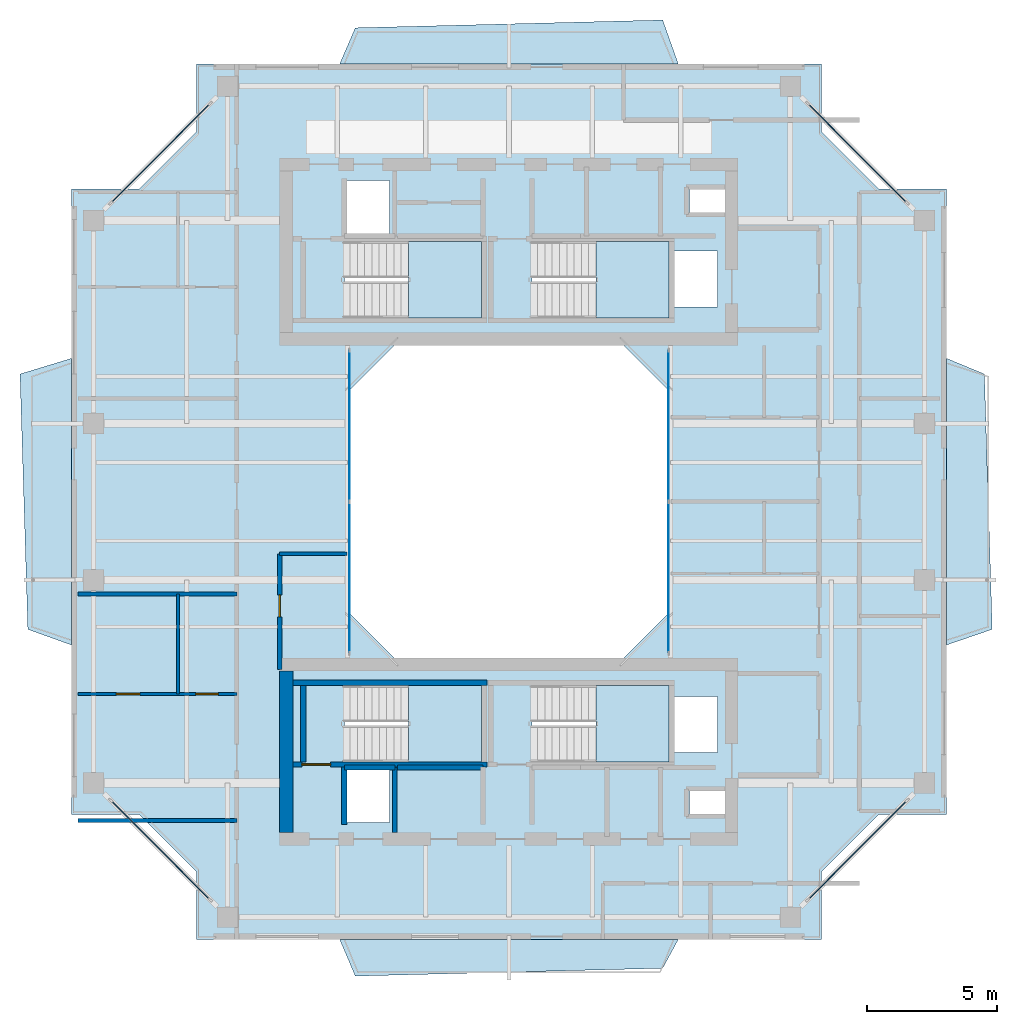
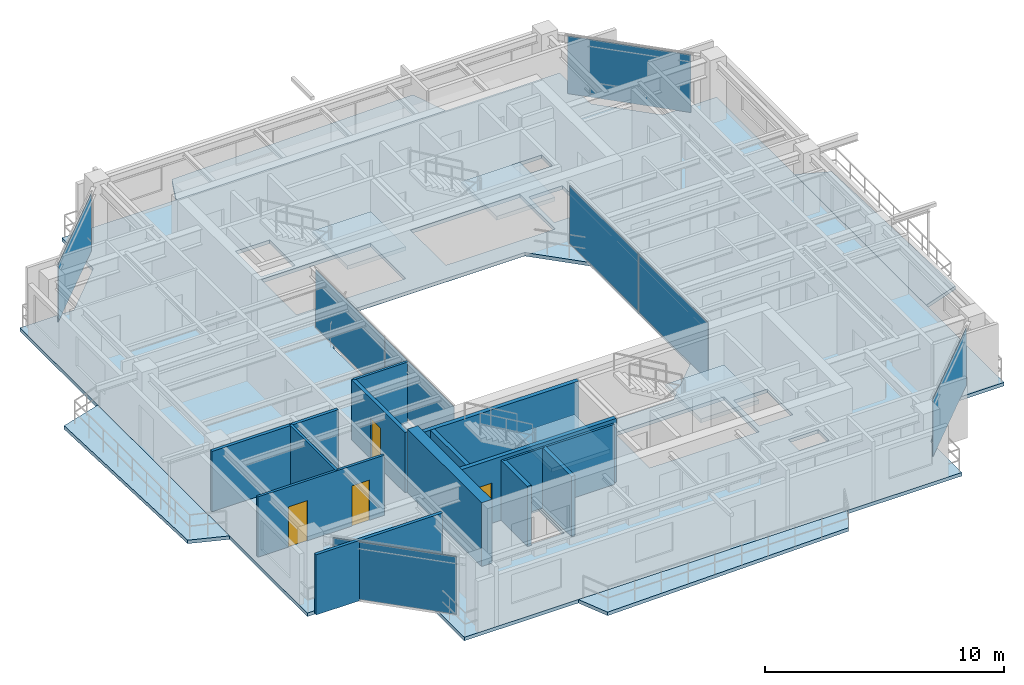
# One storey, part 9 of 15: 14 walls, 9 slabs, 8 plates, 4 doors, 4 openings, 10 elements without a shape of their own.
"""IFC4 building model written with IfcOpenShell, lengths in metres."""

from ifc_helpers import new_model, si_unit, direction, frame, frame_2d, origin, origin_2d, place, context, subcontext, project, spatial, polyline, rectangle, outline, extrude, source, transform, mapped, material, layer, layer_set, type_object, element, fill, aggregate, save


model = new_model("IFC4")

# Units and contexts
model_context = context("Model", 3, precision=1e-05, world=origin(), true_north=direction((0.0, 1.0)))
body_context = subcontext(model_context, "Body", "Model", "MODEL_VIEW")
ifc_project = project(units=[si_unit("LENGTHUNIT", "METRE"), si_unit("AREAUNIT", "SQUARE_METRE"), si_unit("VOLUMEUNIT", "CUBIC_METRE"), si_unit("PLANEANGLEUNIT", "RADIAN"), si_unit("MASSUNIT", "GRAM", prefix="KILO"), si_unit("THERMODYNAMICTEMPERATUREUNIT", "KELVIN"), si_unit("POWERUNIT", "WATT")], contexts=[model_context])

# Site, building, storey
site_placement = place(None, origin())
site = spatial("IfcSite", under=ifc_project, at=site_placement, CompositionType="ELEMENT")
building_placement = place(site_placement, origin())
building = spatial("IfcBuilding", under=site, at=building_placement, Name="Qiaomeng Ring Towers", CompositionType="ELEMENT")
storey_placement = place(building_placement, frame((0.0, 0.0, 200.25)))
storey = spatial("IfcBuildingStorey", under=building, at=storey_placement, Name="L58", CompositionType="ELEMENT", Elevation=200.25)

# Slabs
ifc_material_1 = material(Name="Concrete C40", Category="concrete")
ifc_layer_1 = layer(ifc_material_1, 0.179931640625, Name="Concrete C40")
ifc_layer_set_1 = layer_set([ifc_layer_1], Name="Concrete C40")
slab_type_1 = type_object("IfcSlabType", Name="STR-SL-180", PredefinedType="FLOOR", material=ifc_layer_set_1)
slab_1_placement = place(storey_placement, frame((0.0, 0.0, -0.179931640625)))
element("IfcSlab", 1, at=slab_1_placement, inside=storey, type_object=slab_type_1, Name="L58 Tower 1 Annular Floor Slab", PredefinedType="FLOOR", context=body_context, shape_type="SweptSolid", body=[
    extrude(outline(polyline([(7.0, 6.199951171875), (31.0, 6.199951171875), (31.0, 8.800048828125), (33.199951171875, 11.0), (35.800048828125, 11.0), (35.800048828125, 35.0), (33.199951171875, 35.0), (31.0, 37.199951171875), (31.0, 39.800048828125), (7.0, 39.800048828125), (7.0, 37.199951171875), (4.800048828125, 35.0), (2.199951171875, 35.0), (2.199951171875, 11.0), (4.800048828125, 11.0), (7.0, 8.800048828125), (7.0, 6.199951171875)]), holes=[polyline([(12.780029296875, 10.679931640625), (12.780029296875, 12.820068359375), (14.419921875, 12.820068359375), (14.419921875, 10.679931640625), (12.780029296875, 10.679931640625)]), polyline([(12.679931640625, 13.010009765625), (12.679931640625, 15.949951171875), (17.949951171875, 15.949951171875), (17.949951171875, 13.010009765625), (12.679931640625, 13.010009765625)]), polyline([(23.199951171875, 29.199951171875), (25.199951171875, 27.199951171875), (25.199951171875, 18.800048828125), (23.199951171875, 16.800048828125), (14.800048828125, 16.800048828125), (12.800048828125, 18.800048828125), (12.800048828125, 27.199951171875), (14.800048828125, 29.199951171875), (23.199951171875, 29.199951171875)]), polyline([(12.679931640625, 32.989990234375), (17.949951171875, 32.989990234375), (17.949951171875, 30.050048828125), (12.679931640625, 30.050048828125), (12.679931640625, 32.989990234375)]), polyline([(19.8798828125, 32.989990234375), (25.14990234375, 32.989990234375), (25.14990234375, 30.050048828125), (19.8798828125, 30.050048828125), (19.8798828125, 32.989990234375)]), polyline([(12.780029296875, 33.179931640625), (12.780029296875, 35.320068359375), (14.419921875, 35.320068359375), (14.419921875, 33.179931640625), (12.780029296875, 33.179931640625)]), polyline([(25.919921875, 11.89990234375), (27.360107421875, 11.89990234375), (27.360107421875, 11.0), (25.919921875, 11.0), (25.919921875, 11.89990234375)]), polyline([(25.360107421875, 15.52001953125), (27.0, 15.52001953125), (27.0, 13.3798828125), (25.360107421875, 13.3798828125), (25.360107421875, 15.52001953125)]), polyline([(19.8798828125, 13.010009765625), (19.8798828125, 15.949951171875), (25.14990234375, 15.949951171875), (25.14990234375, 13.010009765625), (19.8798828125, 13.010009765625)]), polyline([(25.360107421875, 32.6201171875), (27.0, 32.6201171875), (27.0, 30.47998046875), (25.360107421875, 30.47998046875), (25.360107421875, 32.6201171875)]), polyline([(25.919921875, 35.0), (27.360107421875, 35.0), (27.360107421875, 34.10009765625), (25.919921875, 34.10009765625), (25.919921875, 35.0)])]), origin(), (0.0, 0.0, 1.0), 0.179931640625),
])
ifc_layer_2 = layer(ifc_material_1, 0.179931640625, Name="Concrete C40")
ifc_layer_set_2 = layer_set([ifc_layer_2], Name="Concrete C40")
slab_type_2 = type_object("IfcSlabType", Name="STR-SL-BAL", PredefinedType="FLOOR", material=ifc_layer_set_2)
slab_2_placement = place(storey_placement, frame((0.0, 0.0, -0.179931640625)))
element("IfcSlab", 2, at=slab_2_placement, inside=storey, type_object=slab_type_2, Name="L58 Tower 1 S Faceted Balcony Slab", PredefinedType="FLOOR", context=body_context, shape_type="SweptSolid", body=[
    extrude(outline(polyline([(25.5, 6.199951171875), (24.89990234375, 5.090087890625), (13.10009765625, 4.7900390625), (12.5, 6.199951171875), (25.5, 6.199951171875)])), origin(), (0.0, 0.0, 1.0), 0.179931640625),
])
slab_3_placement = place(storey_placement, frame((0.0, 0.0, -0.179931640625)))
element("IfcSlab", 3, at=slab_3_placement, inside=storey, type_object=slab_type_2, Name="L58 Tower 1 E Faceted Balcony Slab", PredefinedType="FLOOR", context=body_context, shape_type="SweptSolid", body=[
    extrude(outline(polyline([(37.25, 27.89990234375), (37.550048828125, 18.10009765625), (35.800048828125, 17.5), (35.800048828125, 28.5), (37.25, 27.89990234375)])), origin(), (0.0, 0.0, 1.0), 0.179931640625),
])
slab_4_placement = place(storey_placement, frame((0.0, 0.0, -0.179931640625)))
element("IfcSlab", 4, at=slab_4_placement, inside=storey, type_object=slab_type_2, Name="L58 Tower 1 N Faceted Balcony Slab", PredefinedType="FLOOR", context=body_context, shape_type="SweptSolid", body=[
    extrude(outline(polyline([(12.5, 39.800048828125), (13.10009765625, 41.18994140625), (24.89990234375, 41.489990234375), (25.5, 39.800048828125), (12.5, 39.800048828125)])), origin(), (0.0, 0.0, 1.0), 0.179931640625),
])
slab_5_placement = place(storey_placement, frame((0.0, 0.0, -0.179931640625)))
element("IfcSlab", 5, at=slab_5_placement, inside=storey, type_object=slab_type_2, Name="L58 Tower 1 W Faceted Balcony Slab", PredefinedType="FLOOR", context=body_context, shape_type="SweptSolid", body=[
    extrude(outline(polyline([(0.530029296875, 18.10009765625), (0.22998046875, 27.89990234375), (2.199951171875, 28.5), (2.199951171875, 17.5), (0.530029296875, 18.10009765625)])), origin(), (0.0, 0.0, 1.0), 0.179931640625),
])

# Stair, slab
ifc_material_2 = material(Name="Precast concrete C40", Category="concrete")
stair_type = type_object("IfcStairType", Name="ARC-ST-325", PredefinedType="HALF_TURN_STAIR", material=ifc_material_2)
stair_1_placement = place(storey_placement, origin())
stair_1 = element("IfcStair", 6, at=stair_1_placement, inside=storey, type_object=stair_type, Name="L58 Tower 1 North Stair 1", PredefinedType="HALF_TURN_STAIR")
ifc_layer_3 = layer(ifc_material_1, 0.199951171875, Name="Concrete C40")
ifc_layer_set_3 = layer_set([ifc_layer_3], Name="Concrete C40")
slab_type_3 = type_object("IfcSlabType", Name="STR-SL-LANDING", PredefinedType="LANDING", material=ifc_layer_set_3)
slab_6_placement = place(storey_placement, frame((0.0, 0.0, 1.425048828125)))
slab_6 = element("IfcSlab", 7, at=slab_6_placement, type_object=slab_type_3, Name="ST1 landing 1", PredefinedType="LANDING", context=body_context, shape_type="SweptSolid", body=[
    extrude(outline(polyline([(15.139892578125, 30.050048828125), (17.949951171875, 30.050048828125), (17.949951171875, 32.989990234375), (15.139892578125, 32.989990234375), (15.139892578125, 30.050048828125)])), origin(), (0.0, 0.0, 1.0), 0.199951171875),
])
aggregate(stair_1, [slab_6])

stair_2_placement = place(storey_placement, origin())
stair_2 = element("IfcStair", 8, at=stair_2_placement, inside=storey, type_object=stair_type, Name="L58 Tower 1 North Stair 2", PredefinedType="HALF_TURN_STAIR")
slab_7_placement = place(storey_placement, frame((0.0, 0.0, 1.425048828125)))
slab_7 = element("IfcSlab", 9, at=slab_7_placement, type_object=slab_type_3, Name="ST2 landing 1", PredefinedType="LANDING", context=body_context, shape_type="SweptSolid", body=[
    extrude(outline(polyline([(22.340087890625, 30.050048828125), (25.14990234375, 30.050048828125), (25.14990234375, 32.989990234375), (22.340087890625, 32.989990234375), (22.340087890625, 30.050048828125)])), origin(), (0.0, 0.0, 1.0), 0.199951171875),
])
aggregate(stair_2, [slab_7])

stair_3_placement = place(storey_placement, origin())
stair_3 = element("IfcStair", 10, at=stair_3_placement, inside=storey, type_object=stair_type, Name="L58 Tower 1 South Stair 3", PredefinedType="HALF_TURN_STAIR")
slab_8_placement = place(storey_placement, frame((0.0, 0.0, 1.425048828125)))
slab_8 = element("IfcSlab", 11, at=slab_8_placement, type_object=slab_type_3, Name="ST3 landing 1", PredefinedType="LANDING", context=body_context, shape_type="SweptSolid", body=[
    extrude(outline(polyline([(15.139892578125, 13.010009765625), (17.949951171875, 13.010009765625), (17.949951171875, 15.949951171875), (15.139892578125, 15.949951171875), (15.139892578125, 13.010009765625)])), origin(), (0.0, 0.0, 1.0), 0.199951171875),
])
aggregate(stair_3, [slab_8])

stair_4_placement = place(storey_placement, origin())
stair_4 = element("IfcStair", 12, at=stair_4_placement, inside=storey, type_object=stair_type, Name="L58 Tower 1 South Stair 4", PredefinedType="HALF_TURN_STAIR")
slab_9_placement = place(storey_placement, frame((0.0, 0.0, 1.425048828125)))
slab_9 = element("IfcSlab", 13, at=slab_9_placement, type_object=slab_type_3, Name="ST4 landing 1", PredefinedType="LANDING", context=body_context, shape_type="SweptSolid", body=[
    extrude(outline(polyline([(22.340087890625, 13.010009765625), (25.14990234375, 13.010009765625), (25.14990234375, 15.949951171875), (22.340087890625, 15.949951171875), (22.340087890625, 13.010009765625)])), origin(), (0.0, 0.0, 1.0), 0.199951171875),
])
aggregate(stair_4, [slab_9])

# Curtain wall, plates
ifc_material_3 = material(Name="Fluorocarbon dark-grey aluminium", Category="aluminium")
ifc_layer_4 = layer(ifc_material_3, 0.139892578125, Name="Fluorocarbon dark-grey aluminium")
ifc_layer_set_4 = layer_set([ifc_layer_4], Name="Fluorocarbon dark-grey aluminium")
curtain_wall_type_1 = type_object("IfcCurtainWallType", Name="ARC-CW-4", PredefinedType="NOTDEFINED", material=ifc_layer_set_4)
curtain_wall_1_placement = place(storey_placement, origin())
curtain_wall_1 = element("IfcCurtainWall", 14, at=curtain_wall_1_placement, inside=storey, type_object=curtain_wall_type_1, Name="L58 Curtain Wall CW4", PredefinedType="NOTDEFINED")
ifc_material_4 = material(Name="Low-E dark-grey laminated double glazing", Category="glass")
ifc_layer_5 = layer(ifc_material_4, 0.028076171875, Name="Low-E dark-grey laminated double glazing")
ifc_layer_set_5 = layer_set([ifc_layer_5], Name="Low-E dark-grey laminated double glazing")
plate_type = type_object("IfcPlateType", Name="ARC-CWP-DARK", PredefinedType="CURTAIN_PANEL", material=ifc_layer_set_5)
shared_shape_1 = source(origin(), body_context, "Body", "SweptSolid", [
    extrude(rectangle(XDim=5.75244140625, YDim=0.028076171875, at=origin_2d()), origin(), (0.0, 0.0, 1.0), 2.93994140625),
])
plate_1_placement = place(storey_placement, frame((12.8798828125, 20.09130859375, 0.06494140625), z_axis=(0.0, 0.0, 1.0), x_axis=(0.0, 1.0, 0.0)))
plate_1 = element("IfcPlate", 15, at=plate_1_placement, type_object=plate_type, Name="CW4 panel 1.1", PredefinedType="CURTAIN_PANEL", context=body_context, shape_type="MappedRepresentation", body=[
    mapped(shared_shape_1, transform((0.0, 0.0, 0.0), x_axis=(1.0, 0.0, 0.0), y_axis=(0.0, 1.0, 0.0), z_axis=(0.0, 0.0, 1.0), scale=1.0)),
])
plate_2_placement = place(storey_placement, frame((12.8798828125, 25.90869140625, 0.06494140625), z_axis=(0.0, 0.0, 1.0), x_axis=(0.0, 1.0, 0.0)))
plate_2 = element("IfcPlate", 16, at=plate_2_placement, type_object=plate_type, Name="CW4 panel 2.1", PredefinedType="CURTAIN_PANEL", context=body_context, shape_type="MappedRepresentation", body=[
    mapped(shared_shape_1, transform((0.0, 0.0, 0.0), x_axis=(1.0, 0.0, 0.0), y_axis=(0.0, 1.0, 0.0), z_axis=(0.0, 0.0, 1.0), scale=1.0)),
])
aggregate(curtain_wall_1, [plate_1, plate_2])

curtain_wall_2_placement = place(storey_placement, origin())
curtain_wall_2 = element("IfcCurtainWall", 17, at=curtain_wall_2_placement, inside=storey, type_object=curtain_wall_type_1, Name="L58 Curtain Wall CW4", PredefinedType="NOTDEFINED")
plate_3_placement = place(storey_placement, frame((25.1201171875, 20.09130859375, 0.06494140625), z_axis=(0.0, 0.0, 1.0), x_axis=(0.0, 1.0, 0.0)))
plate_3 = element("IfcPlate", 18, at=plate_3_placement, type_object=plate_type, Name="CW4 panel 1.1", PredefinedType="CURTAIN_PANEL", context=body_context, shape_type="MappedRepresentation", body=[
    mapped(shared_shape_1, transform((0.0, 0.0, 0.0), x_axis=(1.0, 0.0, 0.0), y_axis=(0.0, 1.0, 0.0), z_axis=(0.0, 0.0, 1.0), scale=1.0)),
])
plate_4_placement = place(storey_placement, frame((25.1201171875, 25.90869140625, 0.06494140625), z_axis=(0.0, 0.0, 1.0), x_axis=(0.0, 1.0, 0.0)))
plate_4 = element("IfcPlate", 19, at=plate_4_placement, type_object=plate_type, Name="CW4 panel 2.1", PredefinedType="CURTAIN_PANEL", context=body_context, shape_type="MappedRepresentation", body=[
    mapped(shared_shape_1, transform((0.0, 0.0, 0.0), x_axis=(1.0, 0.0, 0.0), y_axis=(0.0, 1.0, 0.0), z_axis=(0.0, 0.0, 1.0), scale=1.0)),
])
aggregate(curtain_wall_2, [plate_3, plate_4])

# Curtain wall, plate
ifc_layer_6 = layer(ifc_material_3, 0.14990234375, Name="Fluorocarbon dark-grey aluminium")
ifc_layer_set_6 = layer_set([ifc_layer_6], Name="Fluorocarbon dark-grey aluminium")
curtain_wall_type_2 = type_object("IfcCurtainWallType", Name="ARC-CW-3", PredefinedType="NOTDEFINED", material=ifc_layer_set_6)
curtain_wall_3_placement = place(storey_placement, origin())
curtain_wall_3 = element("IfcCurtainWall", 20, at=curtain_wall_3_placement, inside=storey, type_object=curtain_wall_type_2, Name="L58 Curtain Wall CW3", PredefinedType="NOTDEFINED")
shared_shape_2 = source(origin(), body_context, "Body", "SweptSolid", [
    extrude(rectangle(XDim=5.3330078125, YDim=0.028076171875, at=origin_2d()), origin(), (0.0, 0.0, 1.0), 2.93994140625),
])
plate_5_placement = place(storey_placement, frame((32.375, 9.625, 0.06494140625), z_axis=(0.0, 0.0, 1.0), x_axis=(0.707106781187, 0.707106781187, 0.0)))
plate_5 = element("IfcPlate", 21, at=plate_5_placement, type_object=plate_type, Name="CW3 panel 1.1", PredefinedType="CURTAIN_PANEL", context=body_context, shape_type="MappedRepresentation", body=[
    mapped(shared_shape_2, transform((0.0, 0.0, 0.0), x_axis=(1.0, 0.0, 0.0), y_axis=(0.0, 1.0, 0.0), z_axis=(0.0, 0.0, 1.0), scale=1.0)),
])
aggregate(curtain_wall_3, [plate_5])

curtain_wall_4_placement = place(storey_placement, origin())
curtain_wall_4 = element("IfcCurtainWall", 22, at=curtain_wall_4_placement, inside=storey, type_object=curtain_wall_type_2, Name="L58 Curtain Wall CW3", PredefinedType="NOTDEFINED")
plate_6_placement = place(storey_placement, frame((32.375, 36.375, 0.06494140625), z_axis=(0.0, 0.0, 1.0), x_axis=(-0.707106781187, 0.707106781187, 0.0)))
plate_6 = element("IfcPlate", 23, at=plate_6_placement, type_object=plate_type, Name="CW3 panel 1.1", PredefinedType="CURTAIN_PANEL", context=body_context, shape_type="MappedRepresentation", body=[
    mapped(shared_shape_2, transform((0.0, 0.0, 0.0), x_axis=(1.0, 0.0, 0.0), y_axis=(0.0, 1.0, 0.0), z_axis=(0.0, 0.0, 1.0), scale=1.0)),
])
aggregate(curtain_wall_4, [plate_6])

curtain_wall_5_placement = place(storey_placement, origin())
curtain_wall_5 = element("IfcCurtainWall", 24, at=curtain_wall_5_placement, inside=storey, type_object=curtain_wall_type_2, Name="L58 Curtain Wall CW3", PredefinedType="NOTDEFINED")
plate_7_placement = place(storey_placement, frame((5.625, 36.375, 0.06494140625), z_axis=(0.0, 0.0, 1.0), x_axis=(-0.707106781187, -0.707106781187, 0.0)))
plate_7 = element("IfcPlate", 25, at=plate_7_placement, type_object=plate_type, Name="CW3 panel 1.1", PredefinedType="CURTAIN_PANEL", context=body_context, shape_type="MappedRepresentation", body=[
    mapped(shared_shape_2, transform((0.0, 0.0, 0.0), x_axis=(1.0, 0.0, 0.0), y_axis=(0.0, 1.0, 0.0), z_axis=(0.0, 0.0, 1.0), scale=1.0)),
])
aggregate(curtain_wall_5, [plate_7])

curtain_wall_6_placement = place(storey_placement, origin())
curtain_wall_6 = element("IfcCurtainWall", 26, at=curtain_wall_6_placement, inside=storey, type_object=curtain_wall_type_2, Name="L58 Curtain Wall CW3", PredefinedType="NOTDEFINED")
plate_8_placement = place(storey_placement, frame((5.625, 9.625, 0.06494140625), z_axis=(0.0, 0.0, 1.0), x_axis=(0.707106781187, -0.707106781187, 0.0)))
plate_8 = element("IfcPlate", 27, at=plate_8_placement, type_object=plate_type, Name="CW3 panel 1.1", PredefinedType="CURTAIN_PANEL", context=body_context, shape_type="MappedRepresentation", body=[
    mapped(shared_shape_2, transform((0.0, 0.0, 0.0), x_axis=(1.0, 0.0, 0.0), y_axis=(0.0, 1.0, 0.0), z_axis=(0.0, 0.0, 1.0), scale=1.0)),
])
aggregate(curtain_wall_6, [plate_8])

# Walls
ifc_material_5 = material(Name="Autoclaved aerated concrete block", Category="concrete")
ifc_layer_7 = layer(ifc_material_5, 0.199951171875, Name="Autoclaved aerated concrete block")
ifc_layer_set_7 = layer_set([ifc_layer_7], Name="Autoclaved aerated concrete block")
wall_type_1 = type_object("IfcWallType", Name="ARC-WL-PW1", PredefinedType="PARTITIONING", material=ifc_layer_set_7)
wall_1_placement = place(storey_placement, frame((12.679931640625, 10.60009765625, 0.0), z_axis=(0.0, 0.0, 1.0), x_axis=(0.0, 1.0, 0.0)))
element("IfcWall", 28, at=wall_1_placement, inside=storey, type_object=wall_type_1, Name="L58 Interior Wall PW1", PredefinedType="PARTITIONING", context=body_context, shape_type="SweptSolid", body=[
    extrude(rectangle(XDim=2.2099609375, YDim=0.199951171875, at=frame_2d((1.10498046875, 0.0))), origin(), (0.0, 0.0, 1.0), 3.070068359375),
])
wall_2_placement = place(storey_placement, frame((14.719970703125, 12.800048828125, 0.0), z_axis=(0.0, 0.0, 1.0), x_axis=(1.0, 0.0, 0.0)))
element("IfcWall", 29, at=wall_2_placement, inside=storey, type_object=wall_type_1, Name="L58 Interior Wall PW1", PredefinedType="PARTITIONING", context=body_context, shape_type="SweptSolid", body=[
    extrude(rectangle(XDim=3.280029296875, YDim=0.199951171875, at=frame_2d((1.64013671875, 0.0))), origin(), (0.0, 0.0, 1.0), 3.070068359375),
])

# Wall, opening, door
ifc_layer_8 = layer(ifc_material_5, 0.179931640625, Name="Autoclaved aerated concrete block")
ifc_layer_set_8 = layer_set([ifc_layer_8], Name="Autoclaved aerated concrete block")
wall_type_2 = type_object("IfcWallType", Name="ARC-WL-PW2", PredefinedType="PARTITIONING", material=ifc_layer_set_8)
wall_3_placement = place(storey_placement, frame((10.199951171875, 16.550048828125, 0.0), z_axis=(0.0, 0.0, 1.0), x_axis=(0.0, 1.0, 0.0)))
wall_3 = element("IfcWall", 30, at=wall_3_placement, inside=storey, type_object=wall_type_2, Name="L58 Interior Wall PW2", PredefinedType="PARTITIONING", context=body_context, shape_type="SweptSolid", body=[
    extrude(rectangle(XDim=4.449951171875, YDim=0.179931640625, at=frame_2d((2.22509765625, 0.0))), origin(), (0.0, 0.0, 1.0), 3.070068359375),
])
opening_1_placement = place(wall_3_placement, frame((2.02490234375, 0.0, 0.0)))
opening_1 = element("IfcOpeningElement", 31, at=opening_1_placement, cuts=wall_3, Name="Opening ID2", PredefinedType="OPENING", context=body_context, shape_type="SweptSolid", body=[
    extrude(rectangle(XDim=0.85009765625, YDim=2.050048828125, at=frame_2d((0.425048828125, 1.02490234375))), frame((0.0, 0.099853515625, 0.0), z_axis=(0.0, -1.0, 0.0), x_axis=(1.0, 0.0, 0.0)), (0.0, 0.0, 1.0), 0.199951171875),
])
ifc_material_6 = material(Name="Moisture-resistant engineered timber", Category="wood")
door_type_1 = type_object("IfcDoorType", Name="ARC-DR-ID2", OperationType="NOTDEFINED", PredefinedType="DOOR", material=ifc_material_6)
shared_shape_3 = source(origin(), body_context, "Body", "SweptSolid", [
    extrude(rectangle(XDim=0.85009765625, YDim=2.050048828125, at=frame_2d((0.425048828125, 1.02490234375))), frame((0.0, 0.02490234375, 0.0), z_axis=(0.0, -1.0, 0.0), x_axis=(1.0, 0.0, 0.0)), (0.0, 0.0, 1.0), 0.050048828125),
])
door_1_placement = place(opening_1_placement, origin())
door_1 = element("IfcDoor", 32, at=door_1_placement, inside=storey, type_object=door_type_1, Name="L58 Door ID2", OperationType="SINGLE_SWING_LEFT", OverallHeight=2.050048828125, OverallWidth=0.85009765625, PredefinedType="DOOR", context=body_context, shape_type="MappedRepresentation", body=[
    mapped(shared_shape_3, transform((0.0, 0.0, 0.0), x_axis=(1.0, 0.0, 0.0), y_axis=(0.0, 1.0, 0.0), z_axis=(0.0, 0.0, 1.0), scale=1.0)),
])
fill(opening_1, door_1)

# Walls
ifc_material_7 = material(Name="Gypsum fireboard steel-stud partition", Category="steel")
ifc_layer_9 = layer(ifc_material_7, 0.14990234375, Name="Gypsum fireboard steel-stud partition")
ifc_layer_set_9 = layer_set([ifc_layer_9], Name="Gypsum fireboard steel-stud partition")
wall_type_3 = type_object("IfcWallType", Name="ARC-WL-PW3", PredefinedType="PARTITIONING", material=ifc_layer_set_9)
for number, where, z_axis, x_axis, name in (
    (33, (2.449951171875, 10.77001953125, 0.0), (0.0, 0.0, 1.0), (1.0, 0.0, 0.0), "L58 Interior Wall PW3"),
    (34, (2.449951171875, 19.4599609375, 0.0), (0.0, 0.0, 1.0), (1.0, 0.0, 0.0), "L58 Interior Wall PW3"),
):
    element("IfcWall", number, at=place(storey_placement, frame(where, z_axis=z_axis, x_axis=x_axis)), inside=storey, type_object=wall_type_3, Name=name, PredefinedType="PARTITIONING", context=body_context, shape_type="SweptSolid", body=[
        extrude(rectangle(XDim=6.10009765625, YDim=0.14990234375, at=frame_2d((3.050048828125, 0.0))), origin(), (0.0, 0.0, 1.0), 3.070068359375),
    ])

# Wall, openings, doors
ifc_material_8 = material(Name="Moisture-resistant gypsum steel-stud partition", Category="steel")
ifc_layer_10 = layer(ifc_material_8, 0.1201171875, Name="Moisture-resistant gypsum steel-stud partition")
ifc_layer_set_10 = layer_set([ifc_layer_10], Name="Moisture-resistant gypsum steel-stud partition")
wall_type_4 = type_object("IfcWallType", Name="ARC-WL-PW4", PredefinedType="PLUMBINGWALL", material=ifc_layer_set_10)
wall_4_placement = place(storey_placement, frame((2.449951171875, 15.6201171875, 0.0), z_axis=(0.0, 0.0, 1.0), x_axis=(1.0, 0.0, 0.0)))
wall_4 = element("IfcWall", 35, at=wall_4_placement, inside=storey, type_object=wall_type_4, Name="L58 Interior Wall PW4", PredefinedType="PLUMBINGWALL", context=body_context, shape_type="SweptSolid", body=[
    extrude(rectangle(XDim=6.10009765625, YDim=0.1201171875, at=frame_2d((3.050048828125, 0.0))), origin(), (0.0, 0.0, 1.0), 3.070068359375),
])
opening_2_placement = place(wall_4_placement, frame((1.47998046875, 0.0, 0.0)))
opening_2 = element("IfcOpeningElement", 36, at=opening_2_placement, cuts=wall_4, Name="Opening ID1", PredefinedType="OPENING", context=body_context, shape_type="SweptSolid", body=[
    extrude(rectangle(XDim=0.89990234375, YDim=2.050048828125, at=frame_2d((0.449951171875, 1.02490234375))), frame((0.0, 0.070068359375, 0.0), z_axis=(0.0, -1.0, 0.0), x_axis=(1.0, 0.0, 0.0)), (0.0, 0.0, 1.0), 0.14013671875),
])
opening_3_placement = place(wall_4_placement, frame((4.534912109375, 0.0, 0.0)))
opening_3 = element("IfcOpeningElement", 37, at=opening_3_placement, cuts=wall_4, Name="Opening ID2", PredefinedType="OPENING", context=body_context, shape_type="SweptSolid", body=[
    extrude(rectangle(XDim=0.85009765625, YDim=2.050048828125, at=frame_2d((0.425048828125, 1.02490234375))), frame((0.0, 0.070068359375, 0.0), z_axis=(0.0, -1.0, 0.0), x_axis=(1.0, 0.0, 0.0)), (0.0, 0.0, 1.0), 0.14013671875),
])
door_2_placement = place(opening_3_placement, origin())
door_2 = element("IfcDoor", 38, at=door_2_placement, inside=storey, type_object=door_type_1, Name="L58 Door ID2", OperationType="SINGLE_SWING_LEFT", OverallHeight=2.050048828125, OverallWidth=0.85009765625, PredefinedType="DOOR", context=body_context, shape_type="MappedRepresentation", body=[
    mapped(shared_shape_3, transform((0.0, 0.0, 0.0), x_axis=(1.0, 0.0, 0.0), y_axis=(0.0, 1.0, 0.0), z_axis=(0.0, 0.0, 1.0), scale=1.0)),
])
fill(opening_3, door_2)
ifc_material_9 = material(Name="Engineered oak timber", Category="wood")
door_type_2 = type_object("IfcDoorType", Name="ARC-DR-ID1", OperationType="NOTDEFINED", PredefinedType="DOOR", material=ifc_material_9)
shared_shape_4 = source(origin(), body_context, "Body", "SweptSolid", [
    extrude(rectangle(XDim=0.89990234375, YDim=2.050048828125, at=frame_2d((0.449951171875, 1.02490234375))), frame((0.0, 0.02490234375, 0.0), z_axis=(0.0, -1.0, 0.0), x_axis=(1.0, 0.0, 0.0)), (0.0, 0.0, 1.0), 0.050048828125),
])
door_3_placement = place(opening_2_placement, origin())
door_3 = element("IfcDoor", 39, at=door_3_placement, inside=storey, type_object=door_type_2, Name="L58 Door ID1", OperationType="SINGLE_SWING_RIGHT", OverallHeight=2.050048828125, OverallWidth=0.89990234375, PredefinedType="DOOR", context=body_context, shape_type="MappedRepresentation", body=[
    mapped(shared_shape_4, transform((0.0, 0.0, 0.0), x_axis=(1.0, 0.0, 0.0), y_axis=(0.0, 1.0, 0.0), z_axis=(0.0, 0.0, 1.0), scale=1.0)),
])
fill(opening_2, door_3)

# Walls
wall_5_placement = place(storey_placement, frame((6.2900390625, 15.6201171875, 0.0), z_axis=(0.0, 0.0, 1.0), x_axis=(0.0, 1.0, 0.0)))
element("IfcWall", 40, at=wall_5_placement, inside=storey, type_object=wall_type_4, Name="L58 Interior Wall PW4", PredefinedType="PLUMBINGWALL", context=body_context, shape_type="SweptSolid", body=[
    extrude(rectangle(XDim=3.83984375, YDim=0.1201171875, at=frame_2d((1.919921875, 0.0))), origin(), (0.0, 0.0, 1.0), 3.070068359375),
])
wall_6_placement = place(storey_placement, frame((10.199951171875, 21.0, 0.0), z_axis=(0.0, 0.0, 1.0), x_axis=(1.0, 0.0, 0.0)))
element("IfcWall", 41, at=wall_6_placement, inside=storey, type_object=wall_type_4, Name="L58 Interior Wall PW4", PredefinedType="PLUMBINGWALL", context=body_context, shape_type="SweptSolid", body=[
    extrude(rectangle(XDim=2.580078125, YDim=0.1201171875, at=frame_2d((1.2900390625, 0.0))), origin(), (0.0, 0.0, 1.0), 3.070068359375),
])
ifc_layer_11 = layer(ifc_material_1, 0.199951171875, Name="Concrete C40")
ifc_layer_set_11 = layer_set([ifc_layer_11], Name="Concrete C40")
wall_type_5 = type_object("IfcWallType", Name="STR-WL-STSHAFT", PredefinedType="SHEAR", material=ifc_layer_set_11)
wall_7_placement = place(storey_placement, frame((12.679931640625, 12.800048828125, 0.0), z_axis=(0.0, 0.0, 1.0), x_axis=(1.0, 0.0, 0.0)))
element("IfcWall", 42, at=wall_7_placement, inside=storey, type_object=wall_type_5, Name="L58 Lift LP6 Shaft Back Wall", PredefinedType="SHEAR", context=body_context, shape_type="SweptSolid", body=[
    extrude(rectangle(XDim=1.940185546875, YDim=0.179931640625, at=frame_2d((0.97021484375, 0.0))), origin(), (0.0, 0.0, 1.0), 3.070068359375),
])
wall_8_placement = place(storey_placement, frame((14.6201171875, 10.300048828125, 0.0), z_axis=(0.0, 0.0, 1.0), x_axis=(0.0, 1.0, 0.0)))
element("IfcWall", 43, at=wall_8_placement, inside=storey, type_object=wall_type_5, Name="L58 Lift LP6-LP4 Shaft Divider Wall", PredefinedType="SHEAR", context=body_context, shape_type="SweptSolid", body=[
    extrude(rectangle(XDim=2.5, YDim=0.179931640625, at=frame_2d((1.25, 0.0))), origin(), (0.0, 0.0, 1.0), 3.070068359375),
])

# Wall, opening, door
wall_9_placement = place(storey_placement, frame((10.699951171875, 12.909912109375, 0.0), z_axis=(0.0, 0.0, 1.0), x_axis=(1.0, 0.0, 0.0)))
wall_9 = element("IfcWall", 44, at=wall_9_placement, inside=storey, type_object=wall_type_5, Name="L58 Stair ST3 South Shaft Shear Wall", PredefinedType="SHEAR", context=body_context, shape_type="SweptSolid", body=[
    extrude(rectangle(XDim=7.449951171875, YDim=0.199951171875, at=frame_2d((3.72509765625, 0.0))), origin(), (0.0, 0.0, 1.0), 3.25),
])
opening_4_placement = place(wall_9_placement, frame((0.35009765625, 0.0, 0.0)))
opening_4 = element("IfcOpeningElement", 45, at=opening_4_placement, cuts=wall_9, Name="Opening FD3", PredefinedType="OPENING", context=body_context, shape_type="SweptSolid", body=[
    extrude(rectangle(XDim=1.10009765625, YDim=2.050048828125, at=frame_2d((0.550048828125, 1.02490234375))), frame((0.0, 0.10986328125, 0.0), z_axis=(0.0, -1.0, 0.0), x_axis=(1.0, 0.0, 0.0)), (0.0, 0.0, 1.0), 0.219970703125),
])
ifc_material_10 = material(Name="Galvanised steel", Category="steel")
door_type_3 = type_object("IfcDoorType", Name="ARC-DR-FD3", OperationType="NOTDEFINED", PredefinedType="DOOR", material=ifc_material_10)
shared_shape_5 = source(origin(), body_context, "Body", "SweptSolid", [
    extrude(rectangle(XDim=1.10009765625, YDim=2.050048828125, at=frame_2d((0.550048828125, 1.02490234375))), frame((0.0, 0.02490234375, 0.0), z_axis=(0.0, -1.0, 0.0), x_axis=(1.0, 0.0, 0.0)), (0.0, 0.0, 1.0), 0.050048828125),
])
door_4_placement = place(opening_4_placement, frame((1.10009765625, 0.0, 0.0), z_axis=(0.0, 0.0, 1.0), x_axis=(-1.0, 0.0, 0.0)))
door_4 = element("IfcDoor", 46, at=door_4_placement, inside=storey, type_object=door_type_3, Name="L58 Stair ST3 Exit Door", OperationType="SINGLE_SWING_LEFT", OverallHeight=2.050048828125, OverallWidth=1.10009765625, PredefinedType="DOOR", context=body_context, shape_type="MappedRepresentation", body=[
    mapped(shared_shape_5, transform((0.0, 0.0, 0.0), x_axis=(1.0, 0.0, 0.0), y_axis=(0.0, 1.0, 0.0), z_axis=(0.0, 0.0, 1.0), scale=1.0)),
])
fill(opening_4, door_4)

# Walls
wall_10_placement = place(storey_placement, frame((10.699951171875, 16.050048828125, 0.0), z_axis=(0.0, 0.0, 1.0), x_axis=(1.0, 0.0, 0.0)))
element("IfcWall", 47, at=wall_10_placement, inside=storey, type_object=wall_type_5, Name="L58 Stair ST3 North Shaft Shear Wall", PredefinedType="SHEAR", context=body_context, shape_type="SweptSolid", body=[
    extrude(rectangle(XDim=7.449951171875, YDim=0.199951171875, at=frame_2d((3.72509765625, 0.0))), origin(), (0.0, 0.0, 1.0), 3.25),
])
wall_11_placement = place(storey_placement, frame((11.10009765625, 13.010009765625, 0.0), z_axis=(0.0, 0.0, 1.0), x_axis=(0.0, 1.0, 0.0)))
element("IfcWall", 48, at=wall_11_placement, inside=storey, type_object=wall_type_5, Name="L58 Stair ST3 West Shaft Shear Wall", PredefinedType="SHEAR", context=body_context, shape_type="SweptSolid", body=[
    extrude(rectangle(XDim=2.93994140625, YDim=0.199951171875, at=frame_2d((1.469970703125, 0.0))), origin(), (0.0, 0.0, 1.0), 3.25),
])
ifc_layer_12 = layer(ifc_material_1, 0.5, Name="Concrete C40")
ifc_layer_set_12 = layer_set([ifc_layer_12], Name="Concrete C40")
wall_type_6 = type_object("IfcWallType", Name="STR-WL-SW3", PredefinedType="SHEAR", material=ifc_layer_set_12)
wall_12_placement = place(storey_placement, frame((10.449951171875, 10.300048828125, 0.0), z_axis=(0.0, 0.0, 1.0), x_axis=(0.0, 1.0, 0.0)))
element("IfcWall", 49, at=wall_12_placement, inside=storey, type_object=wall_type_6, Name="L58 T1SC west core shear wall", PredefinedType="SHEAR", context=body_context, shape_type="SweptSolid", body=[
    extrude(rectangle(XDim=6.199951171875, YDim=0.5, at=frame_2d((3.10009765625, 0.0))), origin(), (0.0, 0.0, 1.0), 3.25),
])

save(model, "model.ifc")
